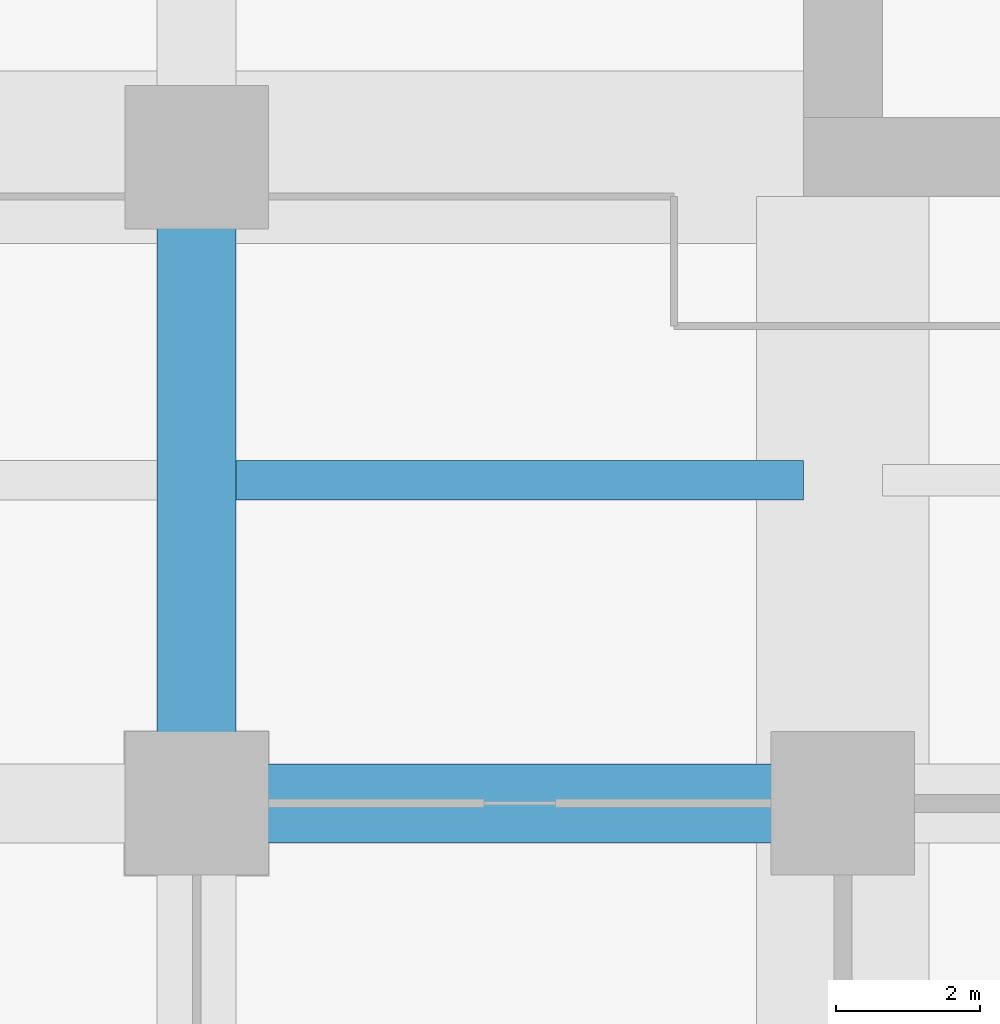
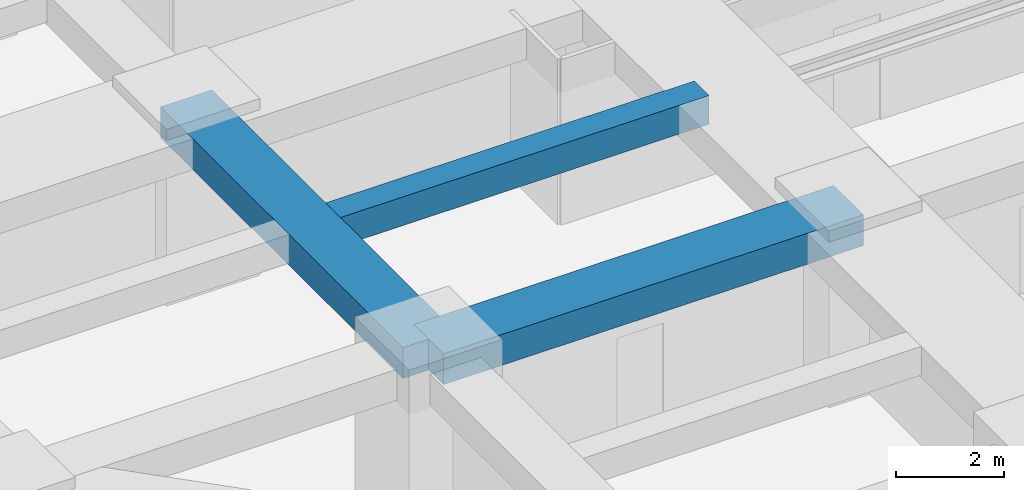
# One storey, part 5 of 35: 3 beams.
"""IFC4 building model written with IfcOpenShell, lengths in metres."""

import ifcopenshell
import ifcopenshell.guid

model = None  # the IFC model being written
_history = None  # IfcOwnerHistory: only IFC2X3 demands one
_inside = {}  # id of a spatial element -> (the spatial element, [elements in it])
_under = {}  # id of a project, library or spatial element -> (it, [spatial elements below it])
_declared = {}  # id of a project -> (the project, [libraries it declares])
_typed = {}  # id of a type object -> (the type object, [elements of that type])
_made_of = {}  # id of a material, layer set ... -> (it, [elements and type objects made of it])


def new_model(schema):
    """Start an empty IFC model of exactly this schema.

    Asked for "IFC4X3", IfcOpenShell would pick the latest addendum, in which some entities
    have other attributes; the version numbers below select the first issue.
    IFC2X3 requires an IfcOwnerHistory on every rooted entity: one is made here for all.
    """
    global model, _history
    if schema == "IFC4X3":
        model = ifcopenshell.file(schema_version=(4, 3, 0, 0))
    else:
        model = ifcopenshell.file(schema=schema)
    _inside.clear()
    _under.clear()
    _declared.clear()
    _typed.clear()
    _made_of.clear()
    _history = None
    if model.schema == "IFC2X3":
        org = make("IfcOrganization", Name="unknown")
        user = make(
            "IfcPersonAndOrganization",
            ThePerson=make("IfcPerson", FamilyName="unknown"),
            TheOrganization=org,
        )
        app = make(
            "IfcApplication",
            ApplicationDeveloper=org,
            Version="unknown",
            ApplicationFullName="unknown",
            ApplicationIdentifier="unknown",
        )
        _history = make(
            "IfcOwnerHistory",
            OwningUser=user,
            OwningApplication=app,
            ChangeAction="ADDED",
            CreationDate=0,
        )
    return model


def make(cls, **values):
    """One entity of the class cls with the attributes given. An attribute that is None is left unset."""
    return model.create_entity(
        cls, **{name: value for name, value in values.items() if value is not None}
    )


def rooted(cls, **values):
    """An entity with a GlobalId (a new one), such as an element, a storey or a relation."""
    return make(cls, GlobalId=ifcopenshell.guid.new(), OwnerHistory=_history, **values)


def si_unit(unit_type, name, prefix=None):
    """IfcSIUnit, for example si_unit("LENGTHUNIT", "METRE", prefix="MILLI")."""
    return make("IfcSIUnit", UnitType=unit_type, Prefix=prefix, Name=name)


def assignment(units):
    """IfcUnitAssignment: the units of a project."""
    return None if units is None else make("IfcUnitAssignment", Units=units)


def point(xyz):
    """IfcCartesianPoint."""
    return None if xyz is None else make("IfcCartesianPoint", Coordinates=xyz)


def direction(xyz):
    """IfcDirection."""
    return None if xyz is None else make("IfcDirection", DirectionRatios=xyz)


def frame(location, z_axis=None, x_axis=None):
    """IfcAxis2Placement3D, a coordinate frame: its origin and axes. An axis left out is left unset."""
    return make(
        "IfcAxis2Placement3D",
        Location=point(location),
        Axis=direction(z_axis),
        RefDirection=direction(x_axis),
    )


def frame_2d(location, x_axis=None):
    """IfcAxis2Placement2D, a coordinate frame in the plane: its origin and x axis."""
    return make(
        "IfcAxis2Placement2D", Location=point(location), RefDirection=direction(x_axis)
    )


def origin():
    """The frame at (0, 0, 0) with its axes left unset."""
    return frame((0.0, 0.0, 0.0))


def origin_2d():
    """The frame at (0, 0) in the plane with its x axis left unset."""
    return frame_2d((0.0, 0.0))


def place(relative_to, where):
    """IfcLocalPlacement: puts the frame where relative to a parent placement (None: the world)."""
    return make(
        "IfcLocalPlacement", PlacementRelTo=relative_to, RelativePlacement=where
    )


def context(
    kind, dimensions, precision=None, world=None, true_north=None, identifier=None
):
    """IfcGeometricRepresentationContext, for example the 3D "Model" context."""
    return make(
        "IfcGeometricRepresentationContext",
        ContextIdentifier=identifier,
        ContextType=kind,
        CoordinateSpaceDimension=dimensions,
        Precision=precision,
        WorldCoordinateSystem=world,
        TrueNorth=true_north,
    )


def subcontext(parent, identifier, kind, view, scale=None):
    """IfcGeometricRepresentationSubContext, for example "Body" below "Model"."""
    return make(
        "IfcGeometricRepresentationSubContext",
        ContextIdentifier=identifier,
        ContextType=kind,
        ParentContext=parent,
        TargetScale=scale,
        TargetView=view,
    )


def project(units=None, contexts=None):
    """IfcProject with its units and contexts."""
    return rooted(
        "IfcProject",
        Name="project",
        RepresentationContexts=contexts,
        UnitsInContext=assignment(units),
    )


def spatial(cls, under=None, at=None, **own):
    """A site, building, storey or space (cls), placed at a placement, below another one or the project."""
    s = rooted(cls, ObjectPlacement=at, **own)
    if under is not None:
        _under.setdefault(under.id(), (under, []))[1].append(s)
    return s


def profile(cls, at=None, kind="AREA", **sizes):
    """A parametric profile (cls). Its sizes go by their IFC names, for example OverallWidth=200.0."""
    return make(cls, ProfileType=kind, Position=at, **sizes)


def rectangle(**sizes):
    """IfcRectangleProfileDef."""
    return profile("IfcRectangleProfileDef", **sizes)


def extrude(swept, where, along, depth):
    """IfcExtrudedAreaSolid: the profile swept, set in the frame where, extruded along a direction by depth."""
    return make(
        "IfcExtrudedAreaSolid",
        SweptArea=swept,
        Position=where,
        ExtrudedDirection=direction(along),
        Depth=depth,
    )


def shape(context_of_items, identifier, shape_type, items):
    """IfcShapeRepresentation: the items that make up one representation, for example the "Body"."""
    return make(
        "IfcShapeRepresentation",
        ContextOfItems=context_of_items,
        RepresentationIdentifier=identifier,
        RepresentationType=shape_type,
        Items=items,
    )


def material(Name=None, Category=None):
    """IfcMaterial."""
    return make("IfcMaterial", Name=Name, Category=Category)


def material_profile(
    of_material, cross_section, Name=None, Category=None, Priority=None
):
    """IfcMaterialProfile: a cross section and its material."""
    return make(
        "IfcMaterialProfile",
        Name=Name,
        Material=of_material,
        Profile=cross_section,
        Priority=Priority,
        Category=Category,
    )


def profile_set(profiles, Name=None, composite=None):
    """IfcMaterialProfileSet."""
    return make(
        "IfcMaterialProfileSet",
        Name=Name,
        MaterialProfiles=profiles,
        CompositeProfile=composite,
    )


def made_of(thing, what):
    """Note that an element or type object is made of a material, layer set ...; save() writes the relation."""
    if what is not None:
        _made_of.setdefault(what.id(), (what, []))[1].append(thing)
    return thing


def type_object(cls, material=None, **own):
    """A type object (cls), such as IfcWallType, which elements share."""
    return made_of(rooted(cls, **own), material)


def element(
    cls,
    number,
    at=None,
    inside=None,
    cuts=None,
    type_object=None,
    material=None,
    context=None,
    identifier="Body",
    shape_type=None,
    held_by="IfcProductDefinitionShape",
    body=None,
    shapes=None,
    **own,
):
    """One element of the class cls, such as IfcWall. Its Tag is "e" and its number.

    at: its placement. inside: the storey or other place that contains it. cuts: it is an
    opening in that element (IfcRelVoidsElement). A single representation is given by context,
    identifier, shape_type and body (its items); several are given by shapes. held_by: the class
    of the entity that holds the representations. save() writes the other relations.
    """
    e = rooted(cls, Tag="e%d" % number, ObjectPlacement=at, **own)
    if body is not None:
        shapes = [shape(context, identifier, shape_type, body)]
    if shapes is not None:
        e.Representation = make(held_by, Representations=shapes)
    if inside is not None:
        _inside.setdefault(inside.id(), (inside, []))[1].append(e)
    if cuts is not None:
        rooted(
            "IfcRelVoidsElement", RelatingBuildingElement=cuts, RelatedOpeningElement=e
        )
    if type_object is not None:
        _typed.setdefault(type_object.id(), (type_object, []))[1].append(e)
    return made_of(e, material)


def aggregate(whole, parts):
    """IfcRelAggregates: a whole, such as a stair, and the parts it consists of."""
    return rooted("IfcRelAggregates", RelatingObject=whole, RelatedObjects=parts)


def save(model, path):
    """Write the relations noted so far, then the file.

    IfcRelAggregates (storeys below a building ...), IfcRelContainedInSpatialStructure (elements
    in a storey), IfcRelDefinesByType, IfcRelAssociatesMaterial and IfcRelDeclares: one each for
    every whole, place, type object, material and project.
    """
    for whole, parts in _under.values():
        aggregate(whole, parts)
    for where, things in _inside.values():
        rooted(
            "IfcRelContainedInSpatialStructure",
            RelatedElements=things,
            RelatingStructure=where,
        )
    for kind, things in _typed.values():
        rooted("IfcRelDefinesByType", RelatedObjects=things, RelatingType=kind)
    for what, things in _made_of.values():
        rooted("IfcRelAssociatesMaterial", RelatedObjects=things, RelatingMaterial=what)
    for by, libraries in _declared.values():
        rooted("IfcRelDeclares", RelatingContext=by, RelatedDefinitions=libraries)
    model.write(path)


model = new_model("IFC4")

# Units and contexts
model_context = context("Model", 3, precision=1e-05, world=origin(), true_north=direction((0.0, 1.0)))
body_context = subcontext(model_context, "Body", "Model", "MODEL_VIEW")
ifc_project = project(units=[si_unit("LENGTHUNIT", "METRE"), si_unit("AREAUNIT", "SQUARE_METRE"), si_unit("VOLUMEUNIT", "CUBIC_METRE"), si_unit("PLANEANGLEUNIT", "RADIAN"), si_unit("MASSUNIT", "GRAM", prefix="KILO")], contexts=[model_context])

# Site, building, storey
site_placement = place(None, origin())
site = spatial("IfcSite", under=ifc_project, at=site_placement, CompositionType="ELEMENT")
building_placement = place(site_placement, origin())
building = spatial("IfcBuilding", under=site, at=building_placement, Name="Zorevar Civic Tower", CompositionType="ELEMENT")
storey_placement = place(building_placement, frame((0.0, 0.0, 162.199951171875)))
storey = spatial("IfcBuildingStorey", under=building, at=storey_placement, Name="L39", CompositionType="ELEMENT", Elevation=162.199951171875)

# Beams
ifc_material_1 = material(Name="Concrete C50/60", Category="concrete")
ifc_material_profile_1 = material_profile(ifc_material_1, rectangle(XDim=1.10009765625, YDim=0.699951171875, at=origin_2d()), Name="RC 1100x700")
ifc_profile_set_1 = profile_set([ifc_material_profile_1], Name="Concrete C50/60")
beam_type_1 = type_object("IfcBeamType", Name="Beam RC 1100x700", PredefinedType="BEAM", material=ifc_profile_set_1)
for number, where, z_axis, x_axis, name in (
    (1, (9.0, 9.0, 3.400146484375), (1.0, 0.0, 0.0), (0.0, 1.0, 0.0), "Girder L40"),
    (2, (9.0, 9.0, 3.400146484375), (0.0, 1.0, 0.0), (-1.0, 0.0, 0.0), "Girder L40"),
):
    element("IfcBeam", number, at=place(storey_placement, frame(where, z_axis=z_axis, x_axis=x_axis)), inside=storey, type_object=beam_type_1, Name=name, PredefinedType="BEAM", context=body_context, shape_type="SweptSolid", body=[
        extrude(rectangle(XDim=1.10009765625, YDim=0.699951171875, at=origin_2d()), origin(), (0.0, 0.0, 1.0), 9.0),
    ])
ifc_material_2 = material(Name="Concrete C50/60", Category="concrete")
ifc_material_profile_2 = material_profile(ifc_material_2, rectangle(XDim=0.550048828125, YDim=0.64990234375, at=origin_2d()), Name="RC 550x650")
ifc_profile_set_2 = profile_set([ifc_material_profile_2], Name="Concrete C50/60")
beam_type_2 = type_object("IfcBeamType", Name="Beam RC 550x650", PredefinedType="BEAM", material=ifc_profile_set_2)
beam_placement = place(storey_placement, frame((9.550048828125, 13.5, 3.425048828125), z_axis=(1.0, 0.0, 0.0), x_axis=(0.0, 1.0, 0.0)))
element("IfcBeam", 3, at=beam_placement, inside=storey, type_object=beam_type_2, Name="Secondary beam L40", PredefinedType="BEAM", context=body_context, shape_type="SweptSolid", body=[
    extrude(rectangle(XDim=0.550048828125, YDim=0.64990234375, at=origin_2d()), origin(), (0.0, 0.0, 1.0), 7.89990234375),
])

save(model, "model.ifc")
